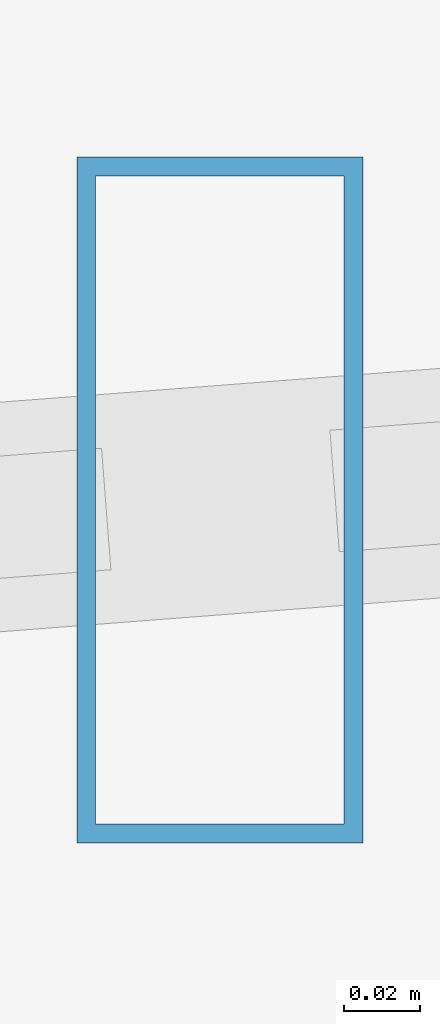
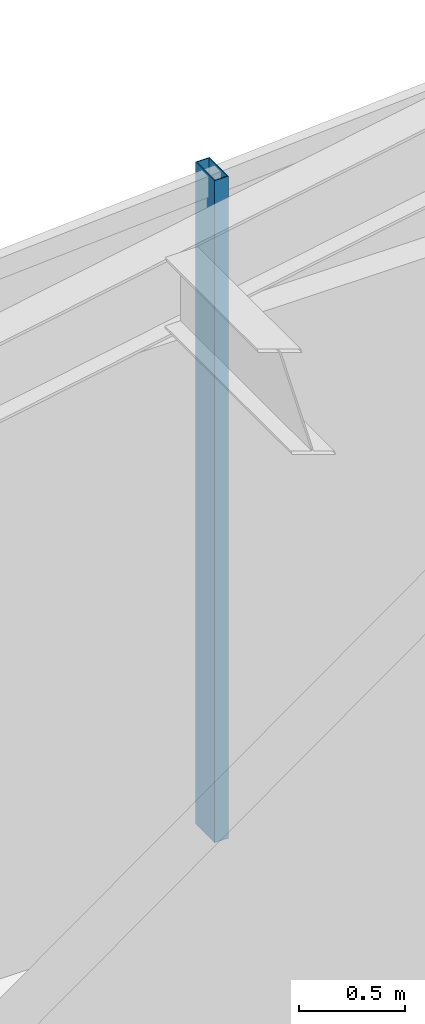
# One storey, part 10 of 30: 1 member, 1 element without a shape of its own.
"""IFC4 building model written with IfcOpenShell, lengths in metres."""

from ifc_helpers import new_model, si_unit, direction, frame, origin, origin_2d, place, context, subcontext, project, spatial, hollow_rectangle, extrude, material, layer, layer_set, material_profile, profile_set, type_object, element, aggregate, save


model = new_model("IFC4")

# Units and contexts
model_context = context("Model", 3, precision=1e-05, world=origin(), true_north=direction((0.0, 1.0)))
body_context = subcontext(model_context, "Body", "Model", "MODEL_VIEW")
ifc_project = project(units=[si_unit("LENGTHUNIT", "METRE"), si_unit("AREAUNIT", "SQUARE_METRE"), si_unit("VOLUMEUNIT", "CUBIC_METRE"), si_unit("PLANEANGLEUNIT", "RADIAN"), si_unit("MASSUNIT", "GRAM", prefix="KILO")], contexts=[model_context])

# Site, building, storey
site_placement = place(None, origin())
site = spatial("IfcSite", under=ifc_project, at=site_placement, CompositionType="ELEMENT")
building_placement = place(site_placement, origin())
building = spatial("IfcBuilding", under=site, at=building_placement, Name="Veymaron Broadcast Tower", CompositionType="ELEMENT")
storey_placement = place(building_placement, frame((0.0, 0.0, 37.800048828125)))
storey = spatial("IfcBuildingStorey", under=building, at=storey_placement, Name="L07", CompositionType="ELEMENT", Elevation=37.800048828125)

# Curtain wall, member
ifc_material_1 = material(Name="Anodised aluminium AA 6063-T6 and laminated low-E dark glass", Category="aluminium")
ifc_layer = layer(ifc_material_1, 0.179931640625)
ifc_layer_set = layer_set([ifc_layer], Name="Anodised aluminium AA 6063-T6 and laminated low-E dark glass")
curtain_wall_type = type_object("IfcCurtainWallType", Name="CW-SYS-02", PredefinedType="NOTDEFINED", material=ifc_layer_set)
curtain_wall_placement = place(storey_placement, origin())
curtain_wall = element("IfcCurtainWall", 1, at=curtain_wall_placement, inside=storey, type_object=curtain_wall_type, Name="L07 dark-glass curtain wall CW-L07-E11-1", PredefinedType="NOTDEFINED")
ifc_material_2 = material(Name="Anodised aluminium AA 6063-T6", Category="aluminium")
ifc_material_profile = material_profile(ifc_material_2, hollow_rectangle(XDim=0.074951171875, YDim=0.179931640625, WallThickness=0.0048828125, at=origin_2d()), Name="AL180X75X5")
ifc_profile_set = profile_set([ifc_material_profile], Name="Anodised aluminium AA 6063-T6")
member_type = type_object("IfcMemberType", Name="CW-MUL-02", PredefinedType="MULLION", material=ifc_profile_set)
member_placement = place(storey_placement, frame((19.142578125, 29.927001953125, 0.0), z_axis=(0.0, 0.0, 1.0), x_axis=(1.0, 0.0, 0.0)))
member = element("IfcMember", 2, at=member_placement, type_object=member_type, Name="CW-L07-E11-1 mullion 1", PredefinedType="MULLION", context=body_context, shape_type="SweptSolid", body=[
    extrude(hollow_rectangle(XDim=0.074951171875, YDim=0.179931640625, WallThickness=0.0048828125, at=origin_2d()), origin(), (0.0, 0.0, 1.0), 3.81005859375),
])
aggregate(curtain_wall, [member])

save(model, "model.ifc")
